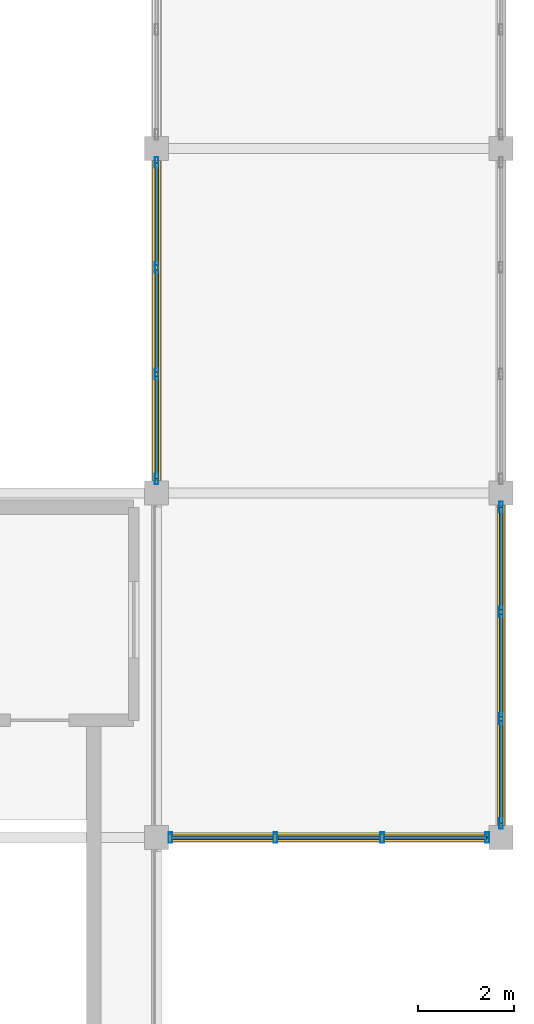
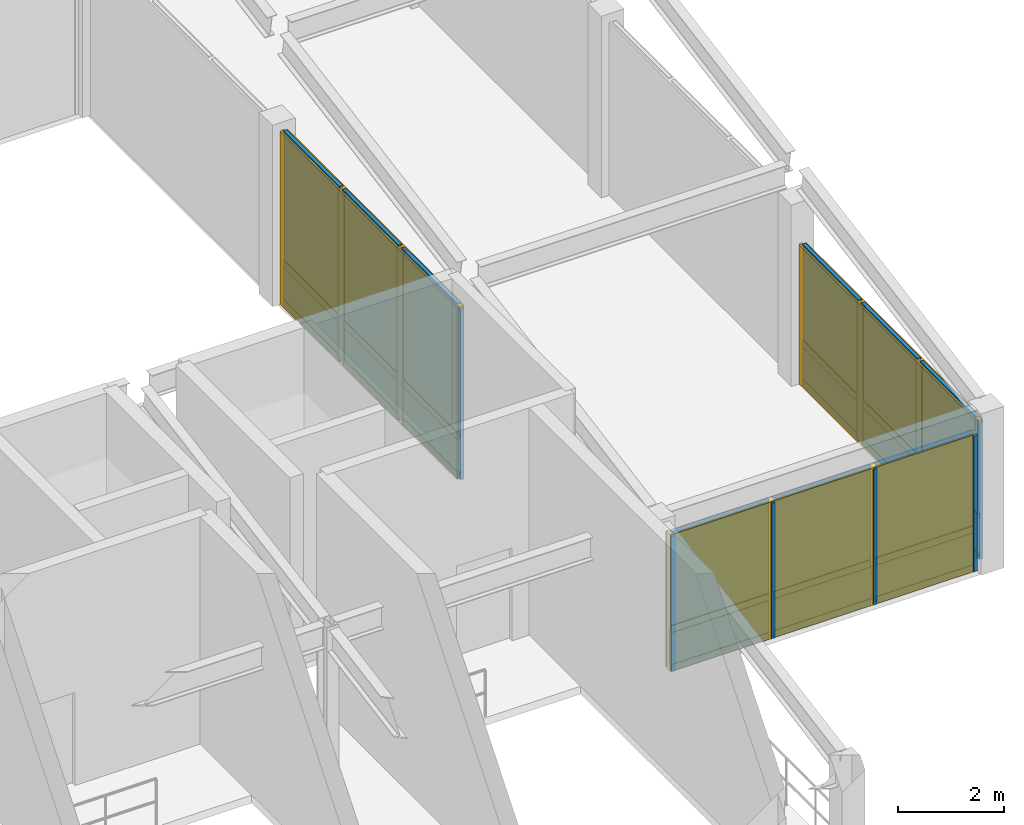
# One storey, part 10 of 16: 39 members, 18 plates, 3 curtain walls.
"""IFC4 building model written with IfcOpenShell, lengths in metres."""

from ifc_helpers import new_model, si_unit, direction, frame, origin, origin_2d, place, context, subcontext, project, spatial, rectangle, hollow_rectangle, extrude, material, layer, layer_set, material_profile, profile_set, type_object, element, aggregate, save


model = new_model("IFC4")

# Units and contexts
model_context = context("Model", 3, precision=1e-05, world=origin(), true_north=direction((0.0, 1.0)))
body_context = subcontext(model_context, "Body", "Model", "MODEL_VIEW")
ifc_project = project(units=[si_unit("LENGTHUNIT", "METRE"), si_unit("AREAUNIT", "SQUARE_METRE"), si_unit("VOLUMEUNIT", "CUBIC_METRE"), si_unit("PLANEANGLEUNIT", "RADIAN"), si_unit("MASSUNIT", "GRAM", prefix="KILO")], contexts=[model_context])

# Member
ifc_material_1 = material(Name="Anodized Aluminium 6063-T6", Category="aluminium")
ifc_material_profile_1 = material_profile(ifc_material_1, hollow_rectangle(XDim=0.074951171875, YDim=0.219970703125, WallThickness=0.0048828125, at=origin_2d()), Name="ALU 75x220x5")
ifc_profile_set_1 = profile_set([ifc_material_profile_1], Name="Anodized Aluminium 6063-T6")
member_type_1 = type_object("IfcMemberType", Name="CWM-75X180", PredefinedType="MULLION", material=ifc_profile_set_1)
site_placement = place(None, origin())
building_placement = place(site_placement, origin())
storey_placement = place(building_placement, frame((0.0, 0.0, 25.800048828125)))
member_1_placement = place(storey_placement, frame((100.510009765625, 86.39990234375, 0.02001953125), z_axis=(0.0, 0.0, 1.0), x_axis=(1.0, 0.0, 0.0)))
member_1 = element("IfcMember", 1, at=member_1_placement, type_object=member_type_1, Name="Curtain wall mullion CW-L07-13-12-S-00", PredefinedType="MULLION", context=body_context, shape_type="SweptSolid", body=[
    extrude(hollow_rectangle(XDim=0.074951171875, YDim=0.219970703125, WallThickness=0.0048828125, at=origin_2d()), origin(), (0.0, 0.0, 1.0), 3.135986328125),
])

member_2_placement = place(storey_placement, frame((98.316650390625, 86.39990234375, 0.02001953125), z_axis=(0.0, 0.0, 1.0), x_axis=(1.0, 0.0, 0.0)))
member_2 = element("IfcMember", 2, at=member_2_placement, type_object=member_type_1, Name="Curtain wall mullion CW-L07-13-12-S-01", PredefinedType="MULLION", context=body_context, shape_type="SweptSolid", body=[
    extrude(hollow_rectangle(XDim=0.074951171875, YDim=0.219970703125, WallThickness=0.0048828125, at=origin_2d()), origin(), (0.0, 0.0, 1.0), 3.135986328125),
])

member_3_placement = place(storey_placement, frame((96.083251953125, 86.39990234375, 0.02001953125), z_axis=(0.0, 0.0, 1.0), x_axis=(1.0, 0.0, 0.0)))
member_3 = element("IfcMember", 3, at=member_3_placement, type_object=member_type_1, Name="Curtain wall mullion CW-L07-13-12-S-02", PredefinedType="MULLION", context=body_context, shape_type="SweptSolid", body=[
    extrude(hollow_rectangle(XDim=0.074951171875, YDim=0.219970703125, WallThickness=0.0048828125, at=origin_2d()), origin(), (0.0, 0.0, 1.0), 3.135986328125),
])

member_4_placement = place(storey_placement, frame((93.889892578125, 86.39990234375, 0.02001953125), z_axis=(0.0, 0.0, 1.0), x_axis=(1.0, 0.0, 0.0)))
member_4 = element("IfcMember", 4, at=member_4_placement, type_object=member_type_1, Name="Curtain wall mullion CW-L07-13-12-S-03", PredefinedType="MULLION", context=body_context, shape_type="SweptSolid", body=[
    extrude(hollow_rectangle(XDim=0.074951171875, YDim=0.219970703125, WallThickness=0.0048828125, at=origin_2d()), origin(), (0.0, 0.0, 1.0), 3.135986328125),
])

member_5_placement = place(storey_placement, frame((100.800048828125, 93.31005859375, 0.02001953125), z_axis=(0.0, 0.0, 1.0), x_axis=(1.0, 0.0, 0.0)))
member_5 = element("IfcMember", 5, at=member_5_placement, type_object=member_type_1, Name="Curtain wall mullion CW-L07-13-12-E-00", PredefinedType="MULLION", context=body_context, shape_type="SweptSolid", body=[
    extrude(hollow_rectangle(XDim=0.074951171875, YDim=0.219970703125, WallThickness=0.0048828125, at=origin_2d()), origin(), (0.0, 0.0, 1.0), 3.180908203125),
])

member_6_placement = place(storey_placement, frame((100.800048828125, 91.11669921875, 0.02001953125), z_axis=(0.0, 0.0, 1.0), x_axis=(1.0, 0.0, 0.0)))
member_6 = element("IfcMember", 6, at=member_6_placement, type_object=member_type_1, Name="Curtain wall mullion CW-L07-13-12-E-01", PredefinedType="MULLION", context=body_context, shape_type="SweptSolid", body=[
    extrude(hollow_rectangle(XDim=0.074951171875, YDim=0.219970703125, WallThickness=0.0048828125, at=origin_2d()), origin(), (0.0, 0.0, 1.0), 3.180908203125),
])

member_7_placement = place(storey_placement, frame((100.800048828125, 88.88330078125, 0.02001953125), z_axis=(0.0, 0.0, 1.0), x_axis=(1.0, 0.0, 0.0)))
member_7 = element("IfcMember", 7, at=member_7_placement, type_object=member_type_1, Name="Curtain wall mullion CW-L07-13-12-E-02", PredefinedType="MULLION", context=body_context, shape_type="SweptSolid", body=[
    extrude(hollow_rectangle(XDim=0.074951171875, YDim=0.219970703125, WallThickness=0.0048828125, at=origin_2d()), origin(), (0.0, 0.0, 1.0), 3.180908203125),
])

member_8_placement = place(storey_placement, frame((100.800048828125, 86.68994140625, 0.02001953125), z_axis=(0.0, 0.0, 1.0), x_axis=(1.0, 0.0, 0.0)))
member_8 = element("IfcMember", 8, at=member_8_placement, type_object=member_type_1, Name="Curtain wall mullion CW-L07-13-12-E-03", PredefinedType="MULLION", context=body_context, shape_type="SweptSolid", body=[
    extrude(hollow_rectangle(XDim=0.074951171875, YDim=0.219970703125, WallThickness=0.0048828125, at=origin_2d()), origin(), (0.0, 0.0, 1.0), 3.180908203125),
])

member_9_placement = place(storey_placement, frame((93.60009765625, 93.889892578125, 0.02001953125), z_axis=(0.0, 0.0, 1.0), x_axis=(1.0, 0.0, 0.0)))
member_9 = element("IfcMember", 9, at=member_9_placement, type_object=member_type_1, Name="Curtain wall mullion CW-L07-13-13-W-00", PredefinedType="MULLION", context=body_context, shape_type="SweptSolid", body=[
    extrude(hollow_rectangle(XDim=0.074951171875, YDim=0.219970703125, WallThickness=0.0048828125, at=origin_2d()), origin(), (0.0, 0.0, 1.0), 3.9599609375),
])

member_10_placement = place(storey_placement, frame((93.60009765625, 96.083251953125, 0.02001953125), z_axis=(0.0, 0.0, 1.0), x_axis=(1.0, 0.0, 0.0)))
member_10 = element("IfcMember", 10, at=member_10_placement, type_object=member_type_1, Name="Curtain wall mullion CW-L07-13-13-W-01", PredefinedType="MULLION", context=body_context, shape_type="SweptSolid", body=[
    extrude(hollow_rectangle(XDim=0.074951171875, YDim=0.219970703125, WallThickness=0.0048828125, at=origin_2d()), origin(), (0.0, 0.0, 1.0), 3.9599609375),
])

member_11_placement = place(storey_placement, frame((93.60009765625, 98.316650390625, 0.02001953125), z_axis=(0.0, 0.0, 1.0), x_axis=(1.0, 0.0, 0.0)))
member_11 = element("IfcMember", 11, at=member_11_placement, type_object=member_type_1, Name="Curtain wall mullion CW-L07-13-13-W-02", PredefinedType="MULLION", context=body_context, shape_type="SweptSolid", body=[
    extrude(hollow_rectangle(XDim=0.074951171875, YDim=0.219970703125, WallThickness=0.0048828125, at=origin_2d()), origin(), (0.0, 0.0, 1.0), 3.9599609375),
])

member_12_placement = place(storey_placement, frame((93.60009765625, 100.510009765625, 0.02001953125), z_axis=(0.0, 0.0, 1.0), x_axis=(1.0, 0.0, 0.0)))
member_12 = element("IfcMember", 12, at=member_12_placement, type_object=member_type_1, Name="Curtain wall mullion CW-L07-13-13-W-03", PredefinedType="MULLION", context=body_context, shape_type="SweptSolid", body=[
    extrude(hollow_rectangle(XDim=0.074951171875, YDim=0.219970703125, WallThickness=0.0048828125, at=origin_2d()), origin(), (0.0, 0.0, 1.0), 3.9599609375),
])

ifc_material_profile_2 = material_profile(ifc_material_1, hollow_rectangle(XDim=0.074951171875, YDim=0.159912109375, WallThickness=0.00390625, at=origin_2d()), Name="ALU 75x160x4")
ifc_profile_set_2 = profile_set([ifc_material_profile_2], Name="Anodized Aluminium 6063-T6")
member_type_2 = type_object("IfcMemberType", Name="CWT-75X150", PredefinedType="USERDEFINED", material=ifc_profile_set_2)
member_13_placement = place(storey_placement, frame((100.5, 86.39990234375, 0.050048828125), z_axis=(-1.0, 0.0, 0.0), x_axis=(0.0, -1.0, 0.0)))
member_13 = element("IfcMember", 13, at=member_13_placement, type_object=member_type_2, Name="Curtain wall transom CW-L07-13-12-S-1.01", ObjectType="TRANSOM", PredefinedType="USERDEFINED", context=body_context, shape_type="SweptSolid", body=[
    extrude(hollow_rectangle(XDim=0.074951171875, YDim=0.159912109375, WallThickness=0.00390625, at=origin_2d()), origin(), (0.0, 0.0, 1.0), 2.13330078125),
])

member_14_placement = place(storey_placement, frame((98.2666015625, 86.39990234375, 0.050048828125), z_axis=(-1.0, 0.0, 0.0), x_axis=(0.0, -1.0, 0.0)))
member_14 = element("IfcMember", 14, at=member_14_placement, type_object=member_type_2, Name="Curtain wall transom CW-L07-13-12-S-1.02", ObjectType="TRANSOM", PredefinedType="USERDEFINED", context=body_context, shape_type="SweptSolid", body=[
    extrude(hollow_rectangle(XDim=0.074951171875, YDim=0.159912109375, WallThickness=0.00390625, at=origin_2d()), origin(), (0.0, 0.0, 1.0), 2.13330078125),
])

member_15_placement = place(storey_placement, frame((96.033203125, 86.39990234375, 0.050048828125), z_axis=(-1.0, 0.0, 0.0), x_axis=(0.0, -1.0, 0.0)))
member_15 = element("IfcMember", 15, at=member_15_placement, type_object=member_type_2, Name="Curtain wall transom CW-L07-13-12-S-1.03", ObjectType="TRANSOM", PredefinedType="USERDEFINED", context=body_context, shape_type="SweptSolid", body=[
    extrude(hollow_rectangle(XDim=0.074951171875, YDim=0.159912109375, WallThickness=0.00390625, at=origin_2d()), origin(), (0.0, 0.0, 1.0), 2.13330078125),
])

member_16_placement = place(storey_placement, frame((100.5, 86.39990234375, 0.949951171875), z_axis=(-1.0, 0.0, 0.0), x_axis=(0.0, -1.0, 0.0)))
member_16 = element("IfcMember", 16, at=member_16_placement, type_object=member_type_2, Name="Curtain wall transom CW-L07-13-12-S-2.01", ObjectType="TRANSOM", PredefinedType="USERDEFINED", context=body_context, shape_type="SweptSolid", body=[
    extrude(hollow_rectangle(XDim=0.074951171875, YDim=0.159912109375, WallThickness=0.00390625, at=origin_2d()), origin(), (0.0, 0.0, 1.0), 2.13330078125),
])

member_17_placement = place(storey_placement, frame((98.2666015625, 86.39990234375, 0.949951171875), z_axis=(-1.0, 0.0, 0.0), x_axis=(0.0, -1.0, 0.0)))
member_17 = element("IfcMember", 17, at=member_17_placement, type_object=member_type_2, Name="Curtain wall transom CW-L07-13-12-S-2.02", ObjectType="TRANSOM", PredefinedType="USERDEFINED", context=body_context, shape_type="SweptSolid", body=[
    extrude(hollow_rectangle(XDim=0.074951171875, YDim=0.159912109375, WallThickness=0.00390625, at=origin_2d()), origin(), (0.0, 0.0, 1.0), 2.13330078125),
])

member_18_placement = place(storey_placement, frame((96.033203125, 86.39990234375, 0.949951171875), z_axis=(-1.0, 0.0, 0.0), x_axis=(0.0, -1.0, 0.0)))
member_18 = element("IfcMember", 18, at=member_18_placement, type_object=member_type_2, Name="Curtain wall transom CW-L07-13-12-S-2.03", ObjectType="TRANSOM", PredefinedType="USERDEFINED", context=body_context, shape_type="SweptSolid", body=[
    extrude(hollow_rectangle(XDim=0.074951171875, YDim=0.159912109375, WallThickness=0.00390625, at=origin_2d()), origin(), (0.0, 0.0, 1.0), 2.13330078125),
])

member_19_placement = place(storey_placement, frame((100.5, 86.39990234375, 3.1259765625), z_axis=(-1.0, 0.0, 0.0), x_axis=(0.0, -1.0, 0.0)))
member_19 = element("IfcMember", 19, at=member_19_placement, type_object=member_type_2, Name="Curtain wall transom CW-L07-13-12-S-3.01", ObjectType="TRANSOM", PredefinedType="USERDEFINED", context=body_context, shape_type="SweptSolid", body=[
    extrude(hollow_rectangle(XDim=0.074951171875, YDim=0.159912109375, WallThickness=0.00390625, at=origin_2d()), origin(), (0.0, 0.0, 1.0), 2.13330078125),
])

member_20_placement = place(storey_placement, frame((98.2666015625, 86.39990234375, 3.1259765625), z_axis=(-1.0, 0.0, 0.0), x_axis=(0.0, -1.0, 0.0)))
member_20 = element("IfcMember", 20, at=member_20_placement, type_object=member_type_2, Name="Curtain wall transom CW-L07-13-12-S-3.02", ObjectType="TRANSOM", PredefinedType="USERDEFINED", context=body_context, shape_type="SweptSolid", body=[
    extrude(hollow_rectangle(XDim=0.074951171875, YDim=0.159912109375, WallThickness=0.00390625, at=origin_2d()), origin(), (0.0, 0.0, 1.0), 2.13330078125),
])

member_21_placement = place(storey_placement, frame((96.033203125, 86.39990234375, 3.1259765625), z_axis=(-1.0, 0.0, 0.0), x_axis=(0.0, -1.0, 0.0)))
member_21 = element("IfcMember", 21, at=member_21_placement, type_object=member_type_2, Name="Curtain wall transom CW-L07-13-12-S-3.03", ObjectType="TRANSOM", PredefinedType="USERDEFINED", context=body_context, shape_type="SweptSolid", body=[
    extrude(hollow_rectangle(XDim=0.074951171875, YDim=0.159912109375, WallThickness=0.00390625, at=origin_2d()), origin(), (0.0, 0.0, 1.0), 2.13330078125),
])

member_22_placement = place(storey_placement, frame((100.800048828125, 93.300048828125, 0.050048828125), z_axis=(0.0, -1.0, 0.0), x_axis=(1.0, 0.0, 0.0)))
member_22 = element("IfcMember", 22, at=member_22_placement, type_object=member_type_2, Name="Curtain wall transom CW-L07-13-12-E-1.01", ObjectType="TRANSOM", PredefinedType="USERDEFINED", context=body_context, shape_type="SweptSolid", body=[
    extrude(hollow_rectangle(XDim=0.074951171875, YDim=0.159912109375, WallThickness=0.00390625, at=origin_2d()), origin(), (0.0, 0.0, 1.0), 2.13330078125),
])

member_23_placement = place(storey_placement, frame((100.800048828125, 91.066650390625, 0.050048828125), z_axis=(0.0, -1.0, 0.0), x_axis=(1.0, 0.0, 0.0)))
member_23 = element("IfcMember", 23, at=member_23_placement, type_object=member_type_2, Name="Curtain wall transom CW-L07-13-12-E-1.02", ObjectType="TRANSOM", PredefinedType="USERDEFINED", context=body_context, shape_type="SweptSolid", body=[
    extrude(hollow_rectangle(XDim=0.074951171875, YDim=0.159912109375, WallThickness=0.00390625, at=origin_2d()), origin(), (0.0, 0.0, 1.0), 2.13330078125),
])

member_24_placement = place(storey_placement, frame((100.800048828125, 88.833251953125, 0.050048828125), z_axis=(0.0, -1.0, 0.0), x_axis=(1.0, 0.0, 0.0)))
member_24 = element("IfcMember", 24, at=member_24_placement, type_object=member_type_2, Name="Curtain wall transom CW-L07-13-12-E-1.03", ObjectType="TRANSOM", PredefinedType="USERDEFINED", context=body_context, shape_type="SweptSolid", body=[
    extrude(hollow_rectangle(XDim=0.074951171875, YDim=0.159912109375, WallThickness=0.00390625, at=origin_2d()), origin(), (0.0, 0.0, 1.0), 2.13330078125),
])

member_25_placement = place(storey_placement, frame((100.800048828125, 93.300048828125, 0.949951171875), z_axis=(0.0, -1.0, 0.0), x_axis=(1.0, 0.0, 0.0)))
member_25 = element("IfcMember", 25, at=member_25_placement, type_object=member_type_2, Name="Curtain wall transom CW-L07-13-12-E-2.01", ObjectType="TRANSOM", PredefinedType="USERDEFINED", context=body_context, shape_type="SweptSolid", body=[
    extrude(hollow_rectangle(XDim=0.074951171875, YDim=0.159912109375, WallThickness=0.00390625, at=origin_2d()), origin(), (0.0, 0.0, 1.0), 2.13330078125),
])

member_26_placement = place(storey_placement, frame((100.800048828125, 91.066650390625, 0.949951171875), z_axis=(0.0, -1.0, 0.0), x_axis=(1.0, 0.0, 0.0)))
member_26 = element("IfcMember", 26, at=member_26_placement, type_object=member_type_2, Name="Curtain wall transom CW-L07-13-12-E-2.02", ObjectType="TRANSOM", PredefinedType="USERDEFINED", context=body_context, shape_type="SweptSolid", body=[
    extrude(hollow_rectangle(XDim=0.074951171875, YDim=0.159912109375, WallThickness=0.00390625, at=origin_2d()), origin(), (0.0, 0.0, 1.0), 2.13330078125),
])

member_27_placement = place(storey_placement, frame((100.800048828125, 88.833251953125, 0.949951171875), z_axis=(0.0, -1.0, 0.0), x_axis=(1.0, 0.0, 0.0)))
member_27 = element("IfcMember", 27, at=member_27_placement, type_object=member_type_2, Name="Curtain wall transom CW-L07-13-12-E-2.03", ObjectType="TRANSOM", PredefinedType="USERDEFINED", context=body_context, shape_type="SweptSolid", body=[
    extrude(hollow_rectangle(XDim=0.074951171875, YDim=0.159912109375, WallThickness=0.00390625, at=origin_2d()), origin(), (0.0, 0.0, 1.0), 2.13330078125),
])

member_28_placement = place(storey_placement, frame((100.800048828125, 93.300048828125, 3.1708984375), z_axis=(0.0, -1.0, 0.0), x_axis=(1.0, 0.0, 0.0)))
member_28 = element("IfcMember", 28, at=member_28_placement, type_object=member_type_2, Name="Curtain wall transom CW-L07-13-12-E-3.01", ObjectType="TRANSOM", PredefinedType="USERDEFINED", context=body_context, shape_type="SweptSolid", body=[
    extrude(hollow_rectangle(XDim=0.074951171875, YDim=0.159912109375, WallThickness=0.00390625, at=origin_2d()), origin(), (0.0, 0.0, 1.0), 2.13330078125),
])

member_29_placement = place(storey_placement, frame((100.800048828125, 91.066650390625, 3.1708984375), z_axis=(0.0, -1.0, 0.0), x_axis=(1.0, 0.0, 0.0)))
member_29 = element("IfcMember", 29, at=member_29_placement, type_object=member_type_2, Name="Curtain wall transom CW-L07-13-12-E-3.02", ObjectType="TRANSOM", PredefinedType="USERDEFINED", context=body_context, shape_type="SweptSolid", body=[
    extrude(hollow_rectangle(XDim=0.074951171875, YDim=0.159912109375, WallThickness=0.00390625, at=origin_2d()), origin(), (0.0, 0.0, 1.0), 2.13330078125),
])

member_30_placement = place(storey_placement, frame((100.800048828125, 88.833251953125, 3.1708984375), z_axis=(0.0, -1.0, 0.0), x_axis=(1.0, 0.0, 0.0)))
member_30 = element("IfcMember", 30, at=member_30_placement, type_object=member_type_2, Name="Curtain wall transom CW-L07-13-12-E-3.03", ObjectType="TRANSOM", PredefinedType="USERDEFINED", context=body_context, shape_type="SweptSolid", body=[
    extrude(hollow_rectangle(XDim=0.074951171875, YDim=0.159912109375, WallThickness=0.00390625, at=origin_2d()), origin(), (0.0, 0.0, 1.0), 2.13330078125),
])

member_31_placement = place(storey_placement, frame((93.60009765625, 93.89990234375, 0.050048828125), z_axis=(0.0, 1.0, 0.0), x_axis=(-1.0, 0.0, 0.0)))
member_31 = element("IfcMember", 31, at=member_31_placement, type_object=member_type_2, Name="Curtain wall transom CW-L07-13-13-W-1.01", ObjectType="TRANSOM", PredefinedType="USERDEFINED", context=body_context, shape_type="SweptSolid", body=[
    extrude(hollow_rectangle(XDim=0.074951171875, YDim=0.159912109375, WallThickness=0.00390625, at=origin_2d()), origin(), (0.0, 0.0, 1.0), 2.13330078125),
])

member_32_placement = place(storey_placement, frame((93.60009765625, 96.13330078125, 0.050048828125), z_axis=(0.0, 1.0, 0.0), x_axis=(-1.0, 0.0, 0.0)))
member_32 = element("IfcMember", 32, at=member_32_placement, type_object=member_type_2, Name="Curtain wall transom CW-L07-13-13-W-1.02", ObjectType="TRANSOM", PredefinedType="USERDEFINED", context=body_context, shape_type="SweptSolid", body=[
    extrude(hollow_rectangle(XDim=0.074951171875, YDim=0.159912109375, WallThickness=0.00390625, at=origin_2d()), origin(), (0.0, 0.0, 1.0), 2.13330078125),
])

member_33_placement = place(storey_placement, frame((93.60009765625, 98.36669921875, 0.050048828125), z_axis=(0.0, 1.0, 0.0), x_axis=(-1.0, 0.0, 0.0)))
member_33 = element("IfcMember", 33, at=member_33_placement, type_object=member_type_2, Name="Curtain wall transom CW-L07-13-13-W-1.03", ObjectType="TRANSOM", PredefinedType="USERDEFINED", context=body_context, shape_type="SweptSolid", body=[
    extrude(hollow_rectangle(XDim=0.074951171875, YDim=0.159912109375, WallThickness=0.00390625, at=origin_2d()), origin(), (0.0, 0.0, 1.0), 2.13330078125),
])

member_34_placement = place(storey_placement, frame((93.60009765625, 93.89990234375, 0.949951171875), z_axis=(0.0, 1.0, 0.0), x_axis=(-1.0, 0.0, 0.0)))
member_34 = element("IfcMember", 34, at=member_34_placement, type_object=member_type_2, Name="Curtain wall transom CW-L07-13-13-W-2.01", ObjectType="TRANSOM", PredefinedType="USERDEFINED", context=body_context, shape_type="SweptSolid", body=[
    extrude(hollow_rectangle(XDim=0.074951171875, YDim=0.159912109375, WallThickness=0.00390625, at=origin_2d()), origin(), (0.0, 0.0, 1.0), 2.13330078125),
])

member_35_placement = place(storey_placement, frame((93.60009765625, 96.13330078125, 0.949951171875), z_axis=(0.0, 1.0, 0.0), x_axis=(-1.0, 0.0, 0.0)))
member_35 = element("IfcMember", 35, at=member_35_placement, type_object=member_type_2, Name="Curtain wall transom CW-L07-13-13-W-2.02", ObjectType="TRANSOM", PredefinedType="USERDEFINED", context=body_context, shape_type="SweptSolid", body=[
    extrude(hollow_rectangle(XDim=0.074951171875, YDim=0.159912109375, WallThickness=0.00390625, at=origin_2d()), origin(), (0.0, 0.0, 1.0), 2.13330078125),
])

member_36_placement = place(storey_placement, frame((93.60009765625, 98.36669921875, 0.949951171875), z_axis=(0.0, 1.0, 0.0), x_axis=(-1.0, 0.0, 0.0)))
member_36 = element("IfcMember", 36, at=member_36_placement, type_object=member_type_2, Name="Curtain wall transom CW-L07-13-13-W-2.03", ObjectType="TRANSOM", PredefinedType="USERDEFINED", context=body_context, shape_type="SweptSolid", body=[
    extrude(hollow_rectangle(XDim=0.074951171875, YDim=0.159912109375, WallThickness=0.00390625, at=origin_2d()), origin(), (0.0, 0.0, 1.0), 2.13330078125),
])

member_37_placement = place(storey_placement, frame((93.60009765625, 93.89990234375, 3.949951171875), z_axis=(0.0, 1.0, 0.0), x_axis=(-1.0, 0.0, 0.0)))
member_37 = element("IfcMember", 37, at=member_37_placement, type_object=member_type_2, Name="Curtain wall transom CW-L07-13-13-W-3.01", ObjectType="TRANSOM", PredefinedType="USERDEFINED", context=body_context, shape_type="SweptSolid", body=[
    extrude(hollow_rectangle(XDim=0.074951171875, YDim=0.159912109375, WallThickness=0.00390625, at=origin_2d()), origin(), (0.0, 0.0, 1.0), 2.13330078125),
])

member_38_placement = place(storey_placement, frame((93.60009765625, 96.13330078125, 3.949951171875), z_axis=(0.0, 1.0, 0.0), x_axis=(-1.0, 0.0, 0.0)))
member_38 = element("IfcMember", 38, at=member_38_placement, type_object=member_type_2, Name="Curtain wall transom CW-L07-13-13-W-3.02", ObjectType="TRANSOM", PredefinedType="USERDEFINED", context=body_context, shape_type="SweptSolid", body=[
    extrude(hollow_rectangle(XDim=0.074951171875, YDim=0.159912109375, WallThickness=0.00390625, at=origin_2d()), origin(), (0.0, 0.0, 1.0), 2.13330078125),
])

member_39_placement = place(storey_placement, frame((93.60009765625, 98.36669921875, 3.949951171875), z_axis=(0.0, 1.0, 0.0), x_axis=(-1.0, 0.0, 0.0)))
member_39 = element("IfcMember", 39, at=member_39_placement, type_object=member_type_2, Name="Curtain wall transom CW-L07-13-13-W-3.03", ObjectType="TRANSOM", PredefinedType="USERDEFINED", context=body_context, shape_type="SweptSolid", body=[
    extrude(hollow_rectangle(XDim=0.074951171875, YDim=0.159912109375, WallThickness=0.00390625, at=origin_2d()), origin(), (0.0, 0.0, 1.0), 2.13330078125),
])

# Plate
ifc_material_2 = material(Name="Acoustic Laminated Low-E Glazing", Category="glass")
ifc_layer_1 = layer(ifc_material_2, 0.0439453125)
ifc_layer_set_1 = layer_set([ifc_layer_1], Name="Acoustic Laminated Low-E Glazing")
plate_type_1 = type_object("IfcPlateType", Name="CWP-IGU-44", PredefinedType="CURTAIN_PANEL", material=ifc_layer_set_1)
plate_1_placement = place(storey_placement, frame((99.433349609375, 86.39990234375, 0.989990234375), z_axis=(0.0, 0.0, 1.0), x_axis=(-1.0, 0.0, 0.0)))
plate_1 = element("IfcPlate", 40, at=plate_1_placement, type_object=plate_type_1, Name="Curtain wall vision glazing CW-L07-13-12-S-01", PredefinedType="CURTAIN_PANEL", context=body_context, shape_type="SweptSolid", body=[
    extrude(rectangle(XDim=2.143310546875, YDim=0.0400390625, at=origin_2d()), origin(), (0.0, 0.0, 1.0), 2.1259765625),
])

plate_2_placement = place(storey_placement, frame((97.199951171875, 86.39990234375, 0.989990234375), z_axis=(0.0, 0.0, 1.0), x_axis=(-1.0, 0.0, 0.0)))
plate_2 = element("IfcPlate", 41, at=plate_2_placement, type_object=plate_type_1, Name="Curtain wall vision glazing CW-L07-13-12-S-02", PredefinedType="CURTAIN_PANEL", context=body_context, shape_type="SweptSolid", body=[
    extrude(rectangle(XDim=2.143310546875, YDim=0.0400390625, at=origin_2d()), origin(), (0.0, 0.0, 1.0), 2.1259765625),
])

plate_3_placement = place(storey_placement, frame((94.966796875, 86.39990234375, 0.989990234375), z_axis=(0.0, 0.0, 1.0), x_axis=(-1.0, 0.0, 0.0)))
plate_3 = element("IfcPlate", 42, at=plate_3_placement, type_object=plate_type_1, Name="Curtain wall vision glazing CW-L07-13-12-S-03", PredefinedType="CURTAIN_PANEL", context=body_context, shape_type="SweptSolid", body=[
    extrude(rectangle(XDim=2.143310546875, YDim=0.0400390625, at=origin_2d()), origin(), (0.0, 0.0, 1.0), 2.1259765625),
])

plate_4_placement = place(storey_placement, frame((100.800048828125, 92.2333984375, 0.989990234375), z_axis=(0.0, 0.0, 1.0), x_axis=(0.0, -1.0, 0.0)))
plate_4 = element("IfcPlate", 43, at=plate_4_placement, type_object=plate_type_1, Name="Curtain wall vision glazing CW-L07-13-12-E-01", PredefinedType="CURTAIN_PANEL", context=body_context, shape_type="SweptSolid", body=[
    extrude(rectangle(XDim=2.143310546875, YDim=0.0400390625, at=origin_2d()), origin(), (0.0, 0.0, 1.0), 2.1708984375),
])

plate_5_placement = place(storey_placement, frame((100.800048828125, 90.0, 0.989990234375), z_axis=(0.0, 0.0, 1.0), x_axis=(0.0, -1.0, 0.0)))
plate_5 = element("IfcPlate", 44, at=plate_5_placement, type_object=plate_type_1, Name="Curtain wall vision glazing CW-L07-13-12-E-02", PredefinedType="CURTAIN_PANEL", context=body_context, shape_type="SweptSolid", body=[
    extrude(rectangle(XDim=2.143310546875, YDim=0.0400390625, at=origin_2d()), origin(), (0.0, 0.0, 1.0), 2.1708984375),
])

plate_6_placement = place(storey_placement, frame((100.800048828125, 87.7666015625, 0.989990234375), z_axis=(0.0, 0.0, 1.0), x_axis=(0.0, -1.0, 0.0)))
plate_6 = element("IfcPlate", 45, at=plate_6_placement, type_object=plate_type_1, Name="Curtain wall vision glazing CW-L07-13-12-E-03", PredefinedType="CURTAIN_PANEL", context=body_context, shape_type="SweptSolid", body=[
    extrude(rectangle(XDim=2.143310546875, YDim=0.0400390625, at=origin_2d()), origin(), (0.0, 0.0, 1.0), 2.1708984375),
])

plate_7_placement = place(storey_placement, frame((93.60009765625, 94.966796875, 0.98974609375), z_axis=(0.0, 0.0, 1.0), x_axis=(0.0, 1.0, 0.0)))
plate_7 = element("IfcPlate", 46, at=plate_7_placement, type_object=plate_type_1, Name="Curtain wall vision glazing CW-L07-13-13-W-01", PredefinedType="CURTAIN_PANEL", context=body_context, shape_type="SweptSolid", body=[
    extrude(rectangle(XDim=2.143310546875, YDim=0.0400390625, at=origin_2d()), origin(), (0.0, 0.0, 1.0), 2.949951171875),
])

plate_8_placement = place(storey_placement, frame((93.60009765625, 97.199951171875, 0.98974609375), z_axis=(0.0, 0.0, 1.0), x_axis=(0.0, 1.0, 0.0)))
plate_8 = element("IfcPlate", 47, at=plate_8_placement, type_object=plate_type_1, Name="Curtain wall vision glazing CW-L07-13-13-W-02", PredefinedType="CURTAIN_PANEL", context=body_context, shape_type="SweptSolid", body=[
    extrude(rectangle(XDim=2.143310546875, YDim=0.0400390625, at=origin_2d()), origin(), (0.0, 0.0, 1.0), 2.949951171875),
])

plate_9_placement = place(storey_placement, frame((93.60009765625, 99.433349609375, 0.98974609375), z_axis=(0.0, 0.0, 1.0), x_axis=(0.0, 1.0, 0.0)))
plate_9 = element("IfcPlate", 48, at=plate_9_placement, type_object=plate_type_1, Name="Curtain wall vision glazing CW-L07-13-13-W-03", PredefinedType="CURTAIN_PANEL", context=body_context, shape_type="SweptSolid", body=[
    extrude(rectangle(XDim=2.143310546875, YDim=0.0400390625, at=origin_2d()), origin(), (0.0, 0.0, 1.0), 2.949951171875),
])

ifc_material_3 = material(Name="Insulated Stone-Composite Spandrel", Category="masonry")
ifc_layer_2 = layer(ifc_material_3, 0.068115234375)
ifc_layer_set_2 = layer_set([ifc_layer_2], Name="Insulated Stone-Composite Spandrel")
plate_type_2 = type_object("IfcPlateType", Name="CWP-SPN-68", PredefinedType="CURTAIN_PANEL", material=ifc_layer_set_2)
plate_10_placement = place(storey_placement, frame((99.433349609375, 86.39990234375, 0.080078125), z_axis=(0.0, 0.0, 1.0), x_axis=(-1.0, 0.0, 0.0)))
plate_10 = element("IfcPlate", 49, at=plate_10_placement, type_object=plate_type_2, Name="Curtain wall spandrel panel CW-L07-13-12-S-01", PredefinedType="CURTAIN_PANEL", context=body_context, shape_type="SweptSolid", body=[
    extrude(rectangle(XDim=2.143310546875, YDim=0.06005859375, at=origin_2d()), origin(), (0.0, 0.0, 1.0), 0.840087890625),
])

plate_11_placement = place(storey_placement, frame((97.199951171875, 86.39990234375, 0.080078125), z_axis=(0.0, 0.0, 1.0), x_axis=(-1.0, 0.0, 0.0)))
plate_11 = element("IfcPlate", 50, at=plate_11_placement, type_object=plate_type_2, Name="Curtain wall spandrel panel CW-L07-13-12-S-02", PredefinedType="CURTAIN_PANEL", context=body_context, shape_type="SweptSolid", body=[
    extrude(rectangle(XDim=2.143310546875, YDim=0.06005859375, at=origin_2d()), origin(), (0.0, 0.0, 1.0), 0.840087890625),
])

plate_12_placement = place(storey_placement, frame((94.966796875, 86.39990234375, 0.080078125), z_axis=(0.0, 0.0, 1.0), x_axis=(-1.0, 0.0, 0.0)))
plate_12 = element("IfcPlate", 51, at=plate_12_placement, type_object=plate_type_2, Name="Curtain wall spandrel panel CW-L07-13-12-S-03", PredefinedType="CURTAIN_PANEL", context=body_context, shape_type="SweptSolid", body=[
    extrude(rectangle(XDim=2.143310546875, YDim=0.06005859375, at=origin_2d()), origin(), (0.0, 0.0, 1.0), 0.840087890625),
])

plate_13_placement = place(storey_placement, frame((100.800048828125, 92.2333984375, 0.080078125), z_axis=(0.0, 0.0, 1.0), x_axis=(0.0, -1.0, 0.0)))
plate_13 = element("IfcPlate", 52, at=plate_13_placement, type_object=plate_type_2, Name="Curtain wall spandrel panel CW-L07-13-12-E-01", PredefinedType="CURTAIN_PANEL", context=body_context, shape_type="SweptSolid", body=[
    extrude(rectangle(XDim=2.143310546875, YDim=0.06005859375, at=origin_2d()), origin(), (0.0, 0.0, 1.0), 0.840087890625),
])

plate_14_placement = place(storey_placement, frame((100.800048828125, 90.0, 0.080078125), z_axis=(0.0, 0.0, 1.0), x_axis=(0.0, -1.0, 0.0)))
plate_14 = element("IfcPlate", 53, at=plate_14_placement, type_object=plate_type_2, Name="Curtain wall spandrel panel CW-L07-13-12-E-02", PredefinedType="CURTAIN_PANEL", context=body_context, shape_type="SweptSolid", body=[
    extrude(rectangle(XDim=2.143310546875, YDim=0.06005859375, at=origin_2d()), origin(), (0.0, 0.0, 1.0), 0.840087890625),
])

plate_15_placement = place(storey_placement, frame((100.800048828125, 87.7666015625, 0.080078125), z_axis=(0.0, 0.0, 1.0), x_axis=(0.0, -1.0, 0.0)))
plate_15 = element("IfcPlate", 54, at=plate_15_placement, type_object=plate_type_2, Name="Curtain wall spandrel panel CW-L07-13-12-E-03", PredefinedType="CURTAIN_PANEL", context=body_context, shape_type="SweptSolid", body=[
    extrude(rectangle(XDim=2.143310546875, YDim=0.06005859375, at=origin_2d()), origin(), (0.0, 0.0, 1.0), 0.840087890625),
])

plate_16_placement = place(storey_placement, frame((93.60009765625, 94.966796875, 0.080078125), z_axis=(0.0, 0.0, 1.0), x_axis=(0.0, 1.0, 0.0)))
plate_16 = element("IfcPlate", 55, at=plate_16_placement, type_object=plate_type_2, Name="Curtain wall spandrel panel CW-L07-13-13-W-01", PredefinedType="CURTAIN_PANEL", context=body_context, shape_type="SweptSolid", body=[
    extrude(rectangle(XDim=2.143310546875, YDim=0.06005859375, at=origin_2d()), origin(), (0.0, 0.0, 1.0), 0.840087890625),
])

plate_17_placement = place(storey_placement, frame((93.60009765625, 97.199951171875, 0.080078125), z_axis=(0.0, 0.0, 1.0), x_axis=(0.0, 1.0, 0.0)))
plate_17 = element("IfcPlate", 56, at=plate_17_placement, type_object=plate_type_2, Name="Curtain wall spandrel panel CW-L07-13-13-W-02", PredefinedType="CURTAIN_PANEL", context=body_context, shape_type="SweptSolid", body=[
    extrude(rectangle(XDim=2.143310546875, YDim=0.06005859375, at=origin_2d()), origin(), (0.0, 0.0, 1.0), 0.840087890625),
])

plate_18_placement = place(storey_placement, frame((93.60009765625, 99.433349609375, 0.080078125), z_axis=(0.0, 0.0, 1.0), x_axis=(0.0, 1.0, 0.0)))
plate_18 = element("IfcPlate", 57, at=plate_18_placement, type_object=plate_type_2, Name="Curtain wall spandrel panel CW-L07-13-13-W-03", PredefinedType="CURTAIN_PANEL", context=body_context, shape_type="SweptSolid", body=[
    extrude(rectangle(XDim=2.143310546875, YDim=0.06005859375, at=origin_2d()), origin(), (0.0, 0.0, 1.0), 0.840087890625),
])

# Site, building, storey
site = spatial("IfcSite", under=ifc_project, at=site_placement, CompositionType="ELEMENT")
building = spatial("IfcBuilding", under=site, at=building_placement, Name="Sillqori Civic Hall", CompositionType="ELEMENT")
storey = spatial("IfcBuildingStorey", under=building, at=storey_placement, Name="L07", CompositionType="ELEMENT", Elevation=25.800048828125)

# Curtain wall
ifc_material_4 = material(Name="Anodized Aluminium Curtain Wall System", Category="aluminium")
curtain_wall_type = type_object("IfcCurtainWallType", Name="CW-OB-340", PredefinedType="NOTDEFINED", material=ifc_material_4)
curtain_wall_1_placement = place(storey_placement, frame((97.199951171875, 86.39990234375, 0.0), z_axis=(0.0, 0.0, 1.0), x_axis=(-1.0, 0.0, 0.0)))
curtain_wall_1 = element("IfcCurtainWall", 58, at=curtain_wall_1_placement, inside=storey, type_object=curtain_wall_type, Name="L07 unitised curtain wall CW-L07-13-12-S", PredefinedType="NOTDEFINED", context=body_context, shape_type="SweptSolid", body=[
    extrude(rectangle(XDim=6.699951171875, YDim=0.159912109375, at=origin_2d()), origin(), (0.0, 0.0, 1.0), 3.176025390625),
])

aggregate(curtain_wall_1, [member_1, member_2, member_3, member_4, member_13, member_14, member_15, member_16, member_17, member_18, member_19, member_20, member_21, plate_10, plate_1, plate_11, plate_2, plate_12, plate_3])

curtain_wall_2_placement = place(storey_placement, frame((100.800048828125, 90.0, 0.0), z_axis=(0.0, 0.0, 1.0), x_axis=(0.0, -1.0, 0.0)))
curtain_wall_2 = element("IfcCurtainWall", 59, at=curtain_wall_2_placement, inside=storey, type_object=curtain_wall_type, Name="L07 unitised curtain wall CW-L07-13-12-E", PredefinedType="NOTDEFINED", context=body_context, shape_type="SweptSolid", body=[
    extrude(rectangle(XDim=6.699951171875, YDim=0.159912109375, at=origin_2d()), origin(), (0.0, 0.0, 1.0), 3.220947265625),
])

aggregate(curtain_wall_2, [member_5, member_6, member_7, member_8, member_22, member_23, member_24, member_25, member_26, member_27, member_28, member_29, member_30, plate_13, plate_4, plate_14, plate_5, plate_15, plate_6])

curtain_wall_3_placement = place(storey_placement, frame((93.60009765625, 97.199951171875, 0.0), z_axis=(0.0, 0.0, 1.0), x_axis=(0.0, 1.0, 0.0)))
curtain_wall_3 = element("IfcCurtainWall", 60, at=curtain_wall_3_placement, inside=storey, type_object=curtain_wall_type, Name="L07 unitised curtain wall CW-L07-13-13-W", PredefinedType="NOTDEFINED", context=body_context, shape_type="SweptSolid", body=[
    extrude(rectangle(XDim=6.699951171875, YDim=0.159912109375, at=origin_2d()), origin(), (0.0, 0.0, 1.0), 4.0),
])

aggregate(curtain_wall_3, [member_9, member_10, member_11, member_12, member_31, member_32, member_33, member_34, member_35, member_36, member_37, member_38, member_39, plate_16, plate_7, plate_17, plate_8, plate_18, plate_9])

save(model, "model.ifc")
